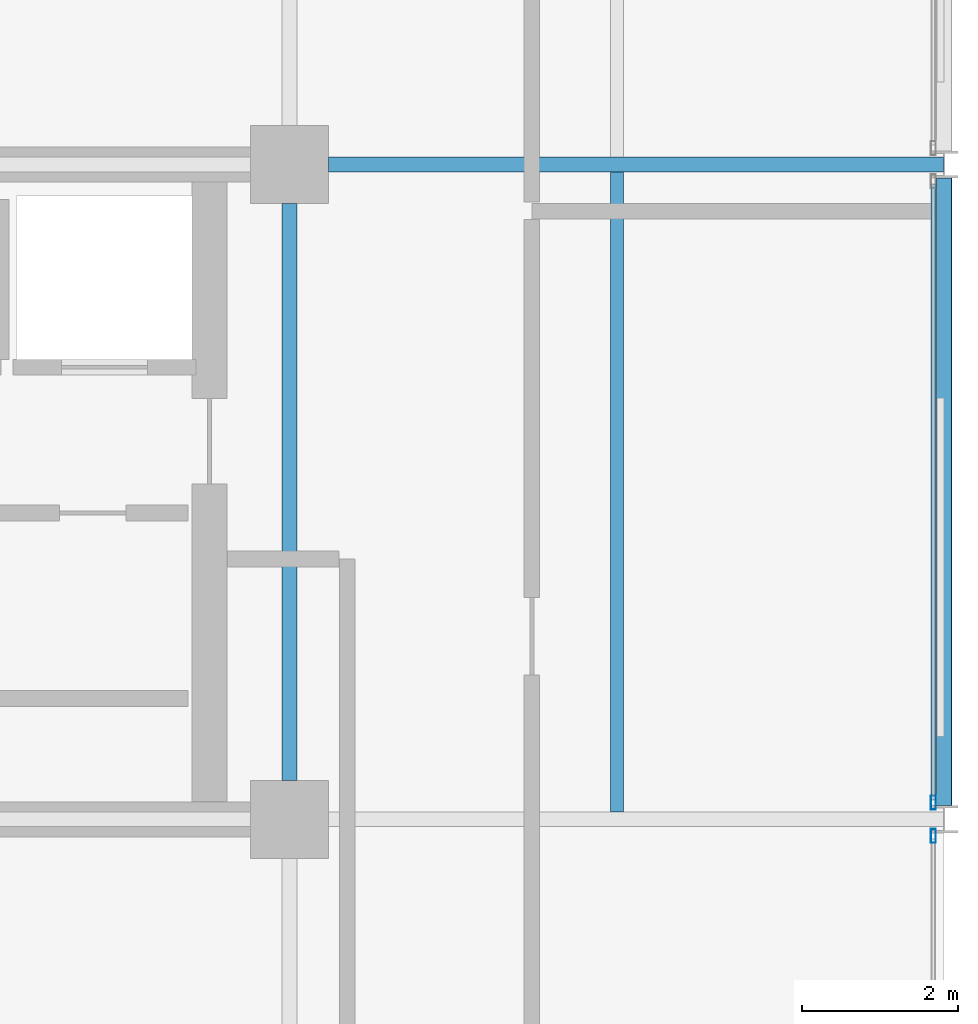
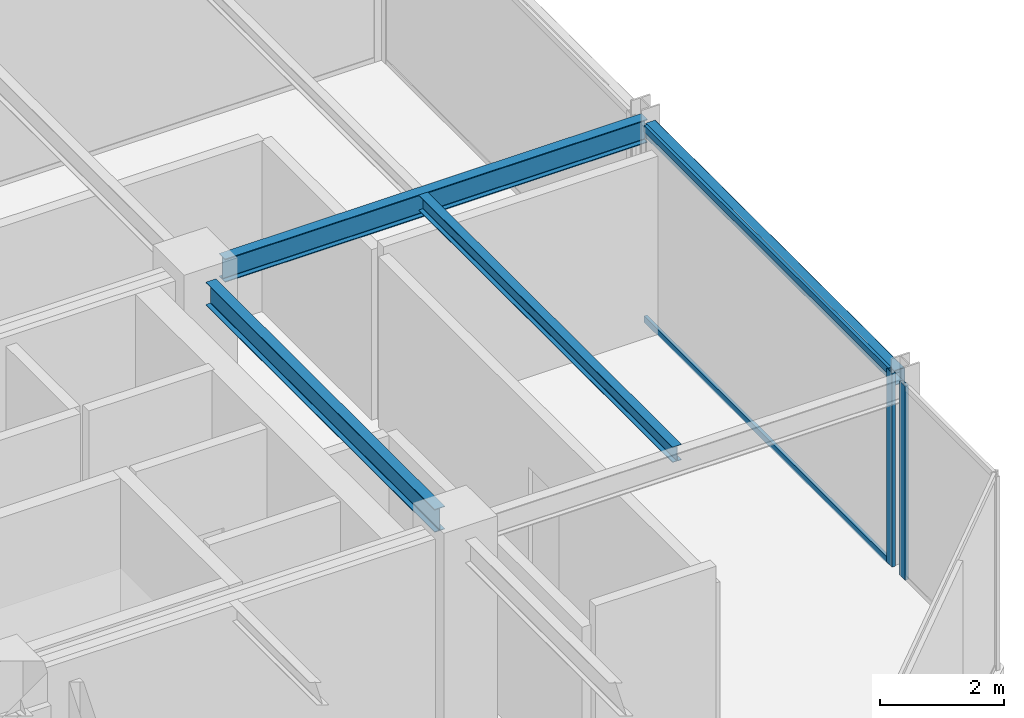
# One storey, part 14 of 25: 4 beams, 4 members, 2 elements without a shape of their own.
"""IFC4 building model written with IfcOpenShell, lengths in metres."""

import ifcopenshell
import ifcopenshell.guid

model = None  # the IFC model being written
_history = None  # IfcOwnerHistory: only IFC2X3 demands one
_inside = {}  # id of a spatial element -> (the spatial element, [elements in it])
_under = {}  # id of a project, library or spatial element -> (it, [spatial elements below it])
_declared = {}  # id of a project -> (the project, [libraries it declares])
_typed = {}  # id of a type object -> (the type object, [elements of that type])
_made_of = {}  # id of a material, layer set ... -> (it, [elements and type objects made of it])


def new_model(schema):
    """Start an empty IFC model of exactly this schema.

    Asked for "IFC4X3", IfcOpenShell would pick the latest addendum, in which some entities
    have other attributes; the version numbers below select the first issue.
    IFC2X3 requires an IfcOwnerHistory on every rooted entity: one is made here for all.
    """
    global model, _history
    if schema == "IFC4X3":
        model = ifcopenshell.file(schema_version=(4, 3, 0, 0))
    else:
        model = ifcopenshell.file(schema=schema)
    _inside.clear()
    _under.clear()
    _declared.clear()
    _typed.clear()
    _made_of.clear()
    _history = None
    if model.schema == "IFC2X3":
        org = make("IfcOrganization", Name="unknown")
        user = make(
            "IfcPersonAndOrganization",
            ThePerson=make("IfcPerson", FamilyName="unknown"),
            TheOrganization=org,
        )
        app = make(
            "IfcApplication",
            ApplicationDeveloper=org,
            Version="unknown",
            ApplicationFullName="unknown",
            ApplicationIdentifier="unknown",
        )
        _history = make(
            "IfcOwnerHistory",
            OwningUser=user,
            OwningApplication=app,
            ChangeAction="ADDED",
            CreationDate=0,
        )
    return model


def make(cls, **values):
    """One entity of the class cls with the attributes given. An attribute that is None is left unset."""
    return model.create_entity(
        cls, **{name: value for name, value in values.items() if value is not None}
    )


def rooted(cls, **values):
    """An entity with a GlobalId (a new one), such as an element, a storey or a relation."""
    return make(cls, GlobalId=ifcopenshell.guid.new(), OwnerHistory=_history, **values)


def si_unit(unit_type, name, prefix=None):
    """IfcSIUnit, for example si_unit("LENGTHUNIT", "METRE", prefix="MILLI")."""
    return make("IfcSIUnit", UnitType=unit_type, Prefix=prefix, Name=name)


def assignment(units):
    """IfcUnitAssignment: the units of a project."""
    return None if units is None else make("IfcUnitAssignment", Units=units)


def point(xyz):
    """IfcCartesianPoint."""
    return None if xyz is None else make("IfcCartesianPoint", Coordinates=xyz)


def direction(xyz):
    """IfcDirection."""
    return None if xyz is None else make("IfcDirection", DirectionRatios=xyz)


def frame(location, z_axis=None, x_axis=None):
    """IfcAxis2Placement3D, a coordinate frame: its origin and axes. An axis left out is left unset."""
    return make(
        "IfcAxis2Placement3D",
        Location=point(location),
        Axis=direction(z_axis),
        RefDirection=direction(x_axis),
    )


def frame_2d(location, x_axis=None):
    """IfcAxis2Placement2D, a coordinate frame in the plane: its origin and x axis."""
    return make(
        "IfcAxis2Placement2D", Location=point(location), RefDirection=direction(x_axis)
    )


def origin():
    """The frame at (0, 0, 0) with its axes left unset."""
    return frame((0.0, 0.0, 0.0))


def origin_2d():
    """The frame at (0, 0) in the plane with its x axis left unset."""
    return frame_2d((0.0, 0.0))


def place(relative_to, where):
    """IfcLocalPlacement: puts the frame where relative to a parent placement (None: the world)."""
    return make(
        "IfcLocalPlacement", PlacementRelTo=relative_to, RelativePlacement=where
    )


def context(
    kind, dimensions, precision=None, world=None, true_north=None, identifier=None
):
    """IfcGeometricRepresentationContext, for example the 3D "Model" context."""
    return make(
        "IfcGeometricRepresentationContext",
        ContextIdentifier=identifier,
        ContextType=kind,
        CoordinateSpaceDimension=dimensions,
        Precision=precision,
        WorldCoordinateSystem=world,
        TrueNorth=true_north,
    )


def subcontext(parent, identifier, kind, view, scale=None):
    """IfcGeometricRepresentationSubContext, for example "Body" below "Model"."""
    return make(
        "IfcGeometricRepresentationSubContext",
        ContextIdentifier=identifier,
        ContextType=kind,
        ParentContext=parent,
        TargetScale=scale,
        TargetView=view,
    )


def project(units=None, contexts=None):
    """IfcProject with its units and contexts."""
    return rooted(
        "IfcProject",
        Name="project",
        RepresentationContexts=contexts,
        UnitsInContext=assignment(units),
    )


def spatial(cls, under=None, at=None, **own):
    """A site, building, storey or space (cls), placed at a placement, below another one or the project."""
    s = rooted(cls, ObjectPlacement=at, **own)
    if under is not None:
        _under.setdefault(under.id(), (under, []))[1].append(s)
    return s


def profile(cls, at=None, kind="AREA", **sizes):
    """A parametric profile (cls). Its sizes go by their IFC names, for example OverallWidth=200.0."""
    return make(cls, ProfileType=kind, Position=at, **sizes)


def hollow_rectangle(**sizes):
    """IfcRectangleHollowProfileDef."""
    return profile("IfcRectangleHollowProfileDef", **sizes)


def i_section(**sizes):
    """IfcIShapeProfileDef."""
    return profile("IfcIShapeProfileDef", **sizes)


def extrude(swept, where, along, depth):
    """IfcExtrudedAreaSolid: the profile swept, set in the frame where, extruded along a direction by depth."""
    return make(
        "IfcExtrudedAreaSolid",
        SweptArea=swept,
        Position=where,
        ExtrudedDirection=direction(along),
        Depth=depth,
    )


def shape(context_of_items, identifier, shape_type, items):
    """IfcShapeRepresentation: the items that make up one representation, for example the "Body"."""
    return make(
        "IfcShapeRepresentation",
        ContextOfItems=context_of_items,
        RepresentationIdentifier=identifier,
        RepresentationType=shape_type,
        Items=items,
    )


def material(Name=None, Category=None):
    """IfcMaterial."""
    return make("IfcMaterial", Name=Name, Category=Category)


def layer(
    of_material, thickness, ventilated=None, Name=None, Category=None, Priority=None
):
    """IfcMaterialLayer: one layer of a wall or slab, of a material (None: an air gap)."""
    return make(
        "IfcMaterialLayer",
        Material=of_material,
        LayerThickness=thickness,
        IsVentilated=ventilated,
        Name=Name,
        Category=Category,
        Priority=Priority,
    )


def layer_set(layers, Name=None):
    """IfcMaterialLayerSet."""
    return make("IfcMaterialLayerSet", MaterialLayers=layers, LayerSetName=Name)


def material_profile(
    of_material, cross_section, Name=None, Category=None, Priority=None
):
    """IfcMaterialProfile: a cross section and its material."""
    return make(
        "IfcMaterialProfile",
        Name=Name,
        Material=of_material,
        Profile=cross_section,
        Priority=Priority,
        Category=Category,
    )


def profile_set(profiles, Name=None, composite=None):
    """IfcMaterialProfileSet."""
    return make(
        "IfcMaterialProfileSet",
        Name=Name,
        MaterialProfiles=profiles,
        CompositeProfile=composite,
    )


def made_of(thing, what):
    """Note that an element or type object is made of a material, layer set ...; save() writes the relation."""
    if what is not None:
        _made_of.setdefault(what.id(), (what, []))[1].append(thing)
    return thing


def type_object(cls, material=None, **own):
    """A type object (cls), such as IfcWallType, which elements share."""
    return made_of(rooted(cls, **own), material)


def element(
    cls,
    number,
    at=None,
    inside=None,
    cuts=None,
    type_object=None,
    material=None,
    context=None,
    identifier="Body",
    shape_type=None,
    held_by="IfcProductDefinitionShape",
    body=None,
    shapes=None,
    **own,
):
    """One element of the class cls, such as IfcWall. Its Tag is "e" and its number.

    at: its placement. inside: the storey or other place that contains it. cuts: it is an
    opening in that element (IfcRelVoidsElement). A single representation is given by context,
    identifier, shape_type and body (its items); several are given by shapes. held_by: the class
    of the entity that holds the representations. save() writes the other relations.
    """
    e = rooted(cls, Tag="e%d" % number, ObjectPlacement=at, **own)
    if body is not None:
        shapes = [shape(context, identifier, shape_type, body)]
    if shapes is not None:
        e.Representation = make(held_by, Representations=shapes)
    if inside is not None:
        _inside.setdefault(inside.id(), (inside, []))[1].append(e)
    if cuts is not None:
        rooted(
            "IfcRelVoidsElement", RelatingBuildingElement=cuts, RelatedOpeningElement=e
        )
    if type_object is not None:
        _typed.setdefault(type_object.id(), (type_object, []))[1].append(e)
    return made_of(e, material)


def aggregate(whole, parts):
    """IfcRelAggregates: a whole, such as a stair, and the parts it consists of."""
    return rooted("IfcRelAggregates", RelatingObject=whole, RelatedObjects=parts)


def save(model, path):
    """Write the relations noted so far, then the file.

    IfcRelAggregates (storeys below a building ...), IfcRelContainedInSpatialStructure (elements
    in a storey), IfcRelDefinesByType, IfcRelAssociatesMaterial and IfcRelDeclares: one each for
    every whole, place, type object, material and project.
    """
    for whole, parts in _under.values():
        aggregate(whole, parts)
    for where, things in _inside.values():
        rooted(
            "IfcRelContainedInSpatialStructure",
            RelatedElements=things,
            RelatingStructure=where,
        )
    for kind, things in _typed.values():
        rooted("IfcRelDefinesByType", RelatedObjects=things, RelatingType=kind)
    for what, things in _made_of.values():
        rooted("IfcRelAssociatesMaterial", RelatedObjects=things, RelatingMaterial=what)
    for by, libraries in _declared.values():
        rooted("IfcRelDeclares", RelatingContext=by, RelatedDefinitions=libraries)
    model.write(path)


model = new_model("IFC4")

# Units and contexts
model_context = context("Model", 3, precision=1e-05, world=origin(), true_north=direction((0.0, 1.0)))
body_context = subcontext(model_context, "Body", "Model", "MODEL_VIEW")
ifc_project = project(units=[si_unit("LENGTHUNIT", "METRE"), si_unit("AREAUNIT", "SQUARE_METRE"), si_unit("VOLUMEUNIT", "CUBIC_METRE"), si_unit("PLANEANGLEUNIT", "RADIAN"), si_unit("MASSUNIT", "GRAM", prefix="KILO")], contexts=[model_context])

# Site, building, storey
site_placement = place(None, origin())
site = spatial("IfcSite", under=ifc_project, at=site_placement, CompositionType="ELEMENT")
building_placement = place(site_placement, origin())
building = spatial("IfcBuilding", under=site, at=building_placement, Name="Nerrivon Quay Data Exchange", CompositionType="ELEMENT")
storey_placement = place(building_placement, frame((0.0, 0.0, 224.699951171875)))
storey = spatial("IfcBuildingStorey", under=building, at=storey_placement, Name="L53", CompositionType="ELEMENT", Elevation=224.699951171875)

# Beams
ifc_material_1 = material(Name="Steel Grade 350", Category="steel")
ifc_material_profile_1 = material_profile(ifc_material_1, i_section(OverallWidth=0.19091796875, OverallDepth=0.4599609375, WebThickness=0.010009765625, FlangeThickness=0.01611328125, FilletRadius=0.011474609375, at=origin_2d()), Name="460UB82.1")
ifc_profile_set_1 = profile_set([ifc_material_profile_1], Name="Steel Grade 350")
beam_type_1 = type_object("IfcBeamType", Name="BM-G5-460UB82", PredefinedType="BEAM", material=ifc_profile_set_1)
beam_1_placement = place(storey_placement, frame((34.10009765625, 16.800048828125, 3.594970703125), z_axis=(1.0, 0.0, 0.0), x_axis=(0.0, 1.0, 0.0)))
element("IfcBeam", 1, at=beam_1_placement, inside=storey, type_object=beam_type_1, Name="L53 EW Girder Y=16.8 (33.6..42.0)", PredefinedType="BEAM", context=body_context, shape_type="SweptSolid", body=[
    extrude(i_section(OverallWidth=0.19091796875, OverallDepth=0.4599609375, WebThickness=0.010009765625, FlangeThickness=0.01611328125, FilletRadius=0.011474609375, at=origin_2d()), origin(), (0.0, 0.0, 1.0), 7.889892578125),
])
ifc_material_profile_2 = material_profile(ifc_material_1, i_section(OverallWidth=0.18994140625, OverallDepth=0.4541015625, WebThickness=0.008544921875, FlangeThickness=0.0126953125, FilletRadius=0.011474609375, at=origin_2d()), Name="460UB67.1")
ifc_profile_set_2 = profile_set([ifc_material_profile_2], Name="Steel Grade 350")
beam_type_2 = type_object("IfcBeamType", Name="BM-G6-460UB67", PredefinedType="BEAM", material=ifc_profile_set_2)
beam_2_placement = place(storey_placement, frame((33.60009765625, 8.89990234375, 3.59814453125), z_axis=(0.0, 1.0, 0.0), x_axis=(-1.0, 0.0, 0.0)))
element("IfcBeam", 2, at=beam_2_placement, inside=storey, type_object=beam_type_2, Name="L53 NS Girder X=33.6 (8.4..16.8)", PredefinedType="BEAM", context=body_context, shape_type="SweptSolid", body=[
    extrude(i_section(OverallWidth=0.18994140625, OverallDepth=0.4541015625, WebThickness=0.008544921875, FlangeThickness=0.0126953125, FilletRadius=0.011474609375, at=origin_2d()), origin(), (0.0, 0.0, 1.0), 7.400146484375),
])
ifc_material_profile_3 = material_profile(ifc_material_1, i_section(OverallWidth=0.166015625, OverallDepth=0.306884765625, WebThickness=0.006591796875, FlangeThickness=0.01171875, FilletRadius=0.011474609375, at=origin_2d()), Name="310UB46.2")
ifc_profile_set_3 = profile_set([ifc_material_profile_3], Name="Steel Grade 350")
beam_type_3 = type_object("IfcBeamType", Name="BM-J5-310UB46", PredefinedType="JOIST", material=ifc_profile_set_3)
beam_3_placement = place(storey_placement, frame((37.800048828125, 8.49560546875, 3.671630859375), z_axis=(0.0, 1.0, 0.0), x_axis=(-1.0, 0.0, 0.0)))
element("IfcBeam", 3, at=beam_3_placement, inside=storey, type_object=beam_type_3, Name="L53 Secondary Joist X=37.8 (8.4..16.8)", PredefinedType="JOIST", context=body_context, shape_type="SweptSolid", body=[
    extrude(i_section(OverallWidth=0.166015625, OverallDepth=0.306884765625, WebThickness=0.006591796875, FlangeThickness=0.01171875, FilletRadius=0.011474609375, at=origin_2d()), origin(), (0.0, 0.0, 1.0), 8.208984375),
])
ifc_material_2 = material(Name="Steel Grade C350L0 (350 MPa)", Category="steel")
ifc_material_profile_4 = material_profile(ifc_material_2, hollow_rectangle(XDim=0.199951171875, YDim=0.300048828125, WallThickness=0.012451171875, InnerFilletRadius=0.018798828125, OuterFilletRadius=0.03125, at=origin_2d()), Name="300x200x12.5RHS")
ifc_profile_set_4 = profile_set([ifc_material_profile_4], Name="Steel Grade C350L0 (350 MPa)")
beam_type_4 = type_object("IfcBeamType", Name="BM-SP3-300x200RHS", PredefinedType="SPANDREL", material=ifc_profile_set_4)
beam_4_placement = place(storey_placement, frame((42.0, 8.574951171875, 3.675048828125), z_axis=(0.0, 1.0, 0.0), x_axis=(-1.0, 0.0, 0.0)))
element("IfcBeam", 4, at=beam_4_placement, inside=storey, type_object=beam_type_4, Name="L53 NS Girder X=42.0 (8.4..16.8)", PredefinedType="SPANDREL", context=body_context, shape_type="SweptSolid", body=[
    extrude(hollow_rectangle(XDim=0.199951171875, YDim=0.300048828125, WallThickness=0.012451171875, InnerFilletRadius=0.018798828125, OuterFilletRadius=0.03125, at=origin_2d()), origin(), (0.0, 0.0, 1.0), 8.050048828125),
])

# Curtain wall, member
ifc_material_3 = material(Name="Anodised aluminium 6063-T6", Category="aluminium")
ifc_layer = layer(ifc_material_3, 0.195068359375)
ifc_layer_set = layer_set([ifc_layer], Name="Anodised aluminium 6063-T6")
curtain_wall_type = type_object("IfcCurtainWallType", Name="CW-SYS-06", PredefinedType="NOTDEFINED", material=ifc_layer_set)
curtain_wall_1_placement = place(storey_placement, origin())
curtain_wall_1 = element("IfcCurtainWall", 5, at=curtain_wall_1_placement, inside=storey, type_object=curtain_wall_type, Name="L53 Unitised Curtain Wall 27", PredefinedType="NOTDEFINED")
ifc_material_profile_5 = material_profile(ifc_material_3, hollow_rectangle(XDim=0.06494140625, YDim=0.179931640625, WallThickness=0.00341796875, at=origin_2d()), Name="ALU-MULL-180x65")
ifc_profile_set_5 = profile_set([ifc_material_profile_5], Name="Anodised aluminium 6063-T6")
member_type_1 = type_object("IfcMemberType", Name="CWM-180x65", PredefinedType="MULLION", material=ifc_profile_set_5)
member_1_placement = place(storey_placement, frame((41.860107421875, 8.612548828125, 0.0), z_axis=(0.0, 0.0, 1.0), x_axis=(1.0, 0.0, 0.0)))
member_1 = element("IfcMember", 6, at=member_1_placement, type_object=member_type_1, Name="CW06 mullion 2", PredefinedType="MULLION", context=body_context, shape_type="SweptSolid", body=[
    extrude(hollow_rectangle(XDim=0.06494140625, YDim=0.179931640625, WallThickness=0.00341796875, at=origin_2d()), origin(), (0.0, 0.0, 1.0), 3.824951171875),
])

curtain_wall_2_placement = place(storey_placement, origin())
curtain_wall_2 = element("IfcCurtainWall", 7, at=curtain_wall_2_placement, inside=storey, type_object=curtain_wall_type, Name="L53 Unitised Curtain Wall 28", PredefinedType="NOTDEFINED")
member_2_placement = place(storey_placement, frame((41.860107421875, 8.1875, 0.0), z_axis=(0.0, 0.0, 1.0), x_axis=(1.0, 0.0, 0.0)))
member_2 = element("IfcMember", 8, at=member_2_placement, type_object=member_type_1, Name="CW06 mullion 1", PredefinedType="MULLION", context=body_context, shape_type="SweptSolid", body=[
    extrude(hollow_rectangle(XDim=0.06494140625, YDim=0.179931640625, WallThickness=0.00341796875, at=origin_2d()), origin(), (0.0, 0.0, 1.0), 3.824951171875),
])
aggregate(curtain_wall_2, [member_2])

# Member
ifc_material_profile_6 = material_profile(ifc_material_3, hollow_rectangle(XDim=0.06005859375, YDim=0.1201171875, WallThickness=0.003173828125, at=origin_2d()), Name="ALU-TRAN-120x60")
ifc_profile_set_6 = profile_set([ifc_material_profile_6], Name="Anodised aluminium 6063-T6")
member_type_2 = type_object("IfcMemberType", Name="CWT-120x60", PredefinedType="USERDEFINED", material=ifc_profile_set_6)
member_3_placement = place(storey_placement, frame((41.860107421875, 16.550048828125, 0.032470703125), z_axis=(0.0, -1.0, 0.0), x_axis=(1.0, 0.0, 0.0)))
member_3 = element("IfcMember", 9, at=member_3_placement, type_object=member_type_2, Name="CW06 transom 1.1", ObjectType="TRANSOM", PredefinedType="USERDEFINED", context=body_context, shape_type="SweptSolid", body=[
    extrude(hollow_rectangle(XDim=0.06005859375, YDim=0.1201171875, WallThickness=0.003173828125, at=origin_2d()), origin(), (0.0, 0.0, 1.0), 7.900146484375),
])

member_4_placement = place(storey_placement, frame((41.860107421875, 16.550048828125, 3.79248046875), z_axis=(0.0, -1.0, 0.0), x_axis=(1.0, 0.0, 0.0)))
member_4 = element("IfcMember", 10, at=member_4_placement, type_object=member_type_2, Name="CW06 transom 1.2", ObjectType="TRANSOM", PredefinedType="USERDEFINED", context=body_context, shape_type="SweptSolid", body=[
    extrude(hollow_rectangle(XDim=0.06005859375, YDim=0.1201171875, WallThickness=0.003173828125, at=origin_2d()), origin(), (0.0, 0.0, 1.0), 7.900146484375),
])

aggregate(curtain_wall_1, [member_1, member_3, member_4])

save(model, "model.ifc")
